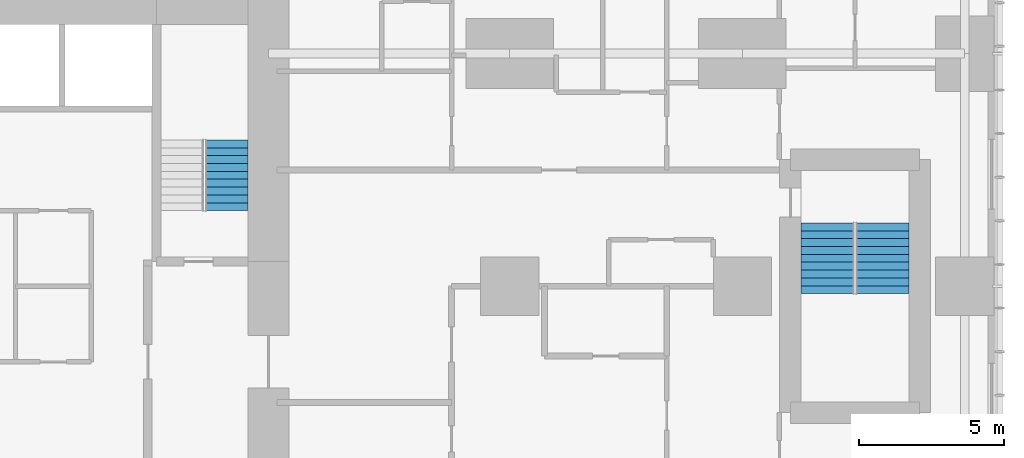
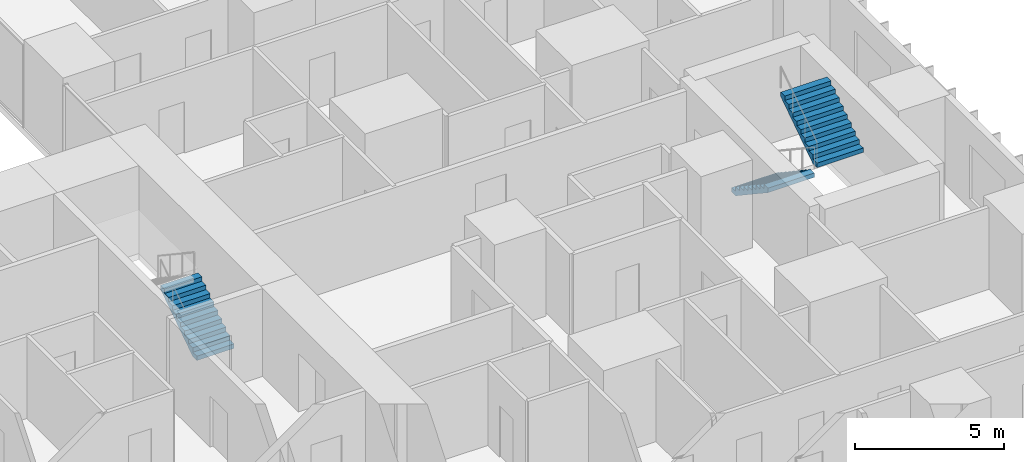
# One storey, part 20 of 21: 3 stair flights, 2 elements without a shape of their own.
"""IFC4 building model written with IfcOpenShell, lengths in metres."""

from ifc_helpers import new_model, si_unit, direction, frame, origin, place, context, subcontext, project, spatial, polyline, outline, extrude, material, type_object, element, aggregate, save


model = new_model("IFC4")

# Units and contexts
model_context = context("Model", 3, precision=1e-05, world=origin(), true_north=direction((0.0, 1.0)))
body_context = subcontext(model_context, "Body", "Model", "MODEL_VIEW")
ifc_project = project(units=[si_unit("LENGTHUNIT", "METRE"), si_unit("AREAUNIT", "SQUARE_METRE"), si_unit("VOLUMEUNIT", "CUBIC_METRE"), si_unit("PLANEANGLEUNIT", "RADIAN"), si_unit("MASSUNIT", "GRAM", prefix="KILO")], contexts=[model_context])

# Site, building, storey
site_placement = place(None, origin())
site = spatial("IfcSite", under=ifc_project, at=site_placement, CompositionType="ELEMENT")
building_placement = place(site_placement, origin())
building = spatial("IfcBuilding", under=site, at=building_placement, Name="Cleftline Residences", CompositionType="ELEMENT")
storey_placement = place(building_placement, frame((0.0, 0.0, 161.0)))
storey = spatial("IfcBuildingStorey", under=building, at=storey_placement, Name="L42", CompositionType="ELEMENT", Elevation=161.0)

# Stair, stair flight
ifc_material_1 = material(Name="Concrete B45, stone treads", Category="masonry")
stair_type_1 = type_object("IfcStairType", Name="STAIR B 1450 WIDE 180 RISER", PredefinedType="HALF_TURN_STAIR", material=ifc_material_1)
stair_1_placement = place(storey_placement, origin())
stair_1 = element("IfcStair", 1, at=stair_1_placement, inside=storey, type_object=stair_type_1, Name="Stair B L42", PredefinedType="HALF_TURN_STAIR")
ifc_material_2 = material(Name="Concrete B45", Category="concrete")
stair_flight_type_1 = type_object("IfcStairFlightType", Name="STAIR B FLIGHT 1450X180", PredefinedType="STRAIGHT", material=ifc_material_2)
stair_flight_1_placement = place(storey_placement, frame((40.27490234375, 26.60009765625, 0.0), z_axis=(0.0, 0.0, 1.0), x_axis=(0.0, 1.0, 0.0)))
stair_flight_1 = element("IfcStairFlight", 2, at=stair_flight_1_placement, type_object=stair_flight_type_1, Name="ST-B flight 1", NumberOfRisers=10, NumberOfTreads=9, PredefinedType="STRAIGHT", RiserHeight=0.18, TreadLength=0.27, context=body_context, shape_type="SweptSolid", body=[
    extrude(outline(polyline([(0.0, 0.0), (0.0, 0.013916015625), (0.0, 0.027587890625), (0.0, 0.04150390625), (0.0, 0.055419921875), (0.0, 0.0693359375), (0.0, 0.0830078125), (0.0, 0.096923828125), (0.0, 0.11083984375), (0.0, 0.12451171875), (0.0, 0.138427734375), (0.0, 0.15234375), (0.0, 0.166259765625), (0.0, 0.179931640625), (0.27001953125, 0.179931640625), (0.27001953125, 0.360107421875), (0.5400390625, 0.360107421875), (0.5400390625, 0.5400390625), (0.81005859375, 0.5400390625), (0.81005859375, 0.719970703125), (1.080078125, 0.719970703125), (1.080078125, 0.89990234375), (1.35009765625, 0.89990234375), (1.35009765625, 1.080078125), (1.6201171875, 1.080078125), (1.6201171875, 1.260009765625), (1.889892578125, 1.260009765625), (1.889892578125, 1.43994140625), (2.159912109375, 1.43994140625), (2.159912109375, 1.6201171875), (2.429931640625, 1.6201171875), (2.429931640625, 1.800048828125), (2.429931640625, 1.772216796875), (2.429931640625, 1.74462890625), (2.429931640625, 1.716796875), (2.429931640625, 1.689208984375), (2.429931640625, 1.661376953125), (2.429931640625, 1.6337890625), (2.429931640625, 1.60595703125), (2.429931640625, 1.578369140625), (2.429931640625, 1.550537109375), (2.429931640625, 1.52294921875), (2.429931640625, 1.495361328125), (2.429931640625, 1.467529296875), (2.429931640625, 1.43994140625), (0.270263671875, 0.0), (0.0, 0.0)])), frame((0.0, 0.72509765625, 0.0), z_axis=(0.0, -1.0, 0.0), x_axis=(1.0, 0.0, 0.0)), (0.0, 0.0, 1.0), 1.449951171875),
])
aggregate(stair_1, [stair_flight_1])

# Stair, stair flights
ifc_material_3 = material(Name="Concrete B45, stone treads", Category="masonry")
stair_type_2 = type_object("IfcStairType", Name="STAIR E 1800 WIDE 180 RISER", PredefinedType="HALF_TURN_STAIR", material=ifc_material_3)
stair_2_placement = place(storey_placement, origin())
stair_2 = element("IfcStair", 3, at=stair_2_placement, inside=storey, type_object=stair_type_2, Name="Stair E L42", PredefinedType="HALF_TURN_STAIR")
ifc_material_4 = material(Name="Concrete B45", Category="concrete")
stair_flight_type_2 = type_object("IfcStairFlightType", Name="STAIR E FLIGHT 1800X180", PredefinedType="STRAIGHT", material=ifc_material_4)
stair_flight_2_placement = place(storey_placement, frame((60.925048828125, 26.175048828125, 0.0), z_axis=(0.0, 0.0, 1.0), x_axis=(0.0, -1.0, 0.0)))
stair_flight_2 = element("IfcStairFlight", 4, at=stair_flight_2_placement, type_object=stair_flight_type_2, Name="ST-E flight 1", NumberOfRisers=10, NumberOfTreads=9, PredefinedType="STRAIGHT", RiserHeight=0.18, TreadLength=0.27, context=body_context, shape_type="SweptSolid", body=[
    extrude(outline(polyline([(0.0, 0.0), (0.0, 0.013916015625), (0.0, 0.027587890625), (0.0, 0.04150390625), (0.0, 0.055419921875), (0.0, 0.0693359375), (0.0, 0.0830078125), (0.0, 0.096923828125), (0.0, 0.11083984375), (0.0, 0.12451171875), (0.0, 0.138427734375), (0.0, 0.15234375), (0.0, 0.166259765625), (0.0, 0.179931640625), (0.27001953125, 0.179931640625), (0.27001953125, 0.360107421875), (0.5400390625, 0.360107421875), (0.5400390625, 0.5400390625), (0.81005859375, 0.5400390625), (0.81005859375, 0.719970703125), (1.080078125, 0.719970703125), (1.080078125, 0.89990234375), (1.35009765625, 0.89990234375), (1.35009765625, 1.080078125), (1.6201171875, 1.080078125), (1.6201171875, 1.260009765625), (1.889892578125, 1.260009765625), (1.889892578125, 1.43994140625), (2.159912109375, 1.43994140625), (2.159912109375, 1.6201171875), (2.429931640625, 1.6201171875), (2.429931640625, 1.800048828125), (2.429931640625, 1.772216796875), (2.429931640625, 1.74462890625), (2.429931640625, 1.716796875), (2.429931640625, 1.689208984375), (2.429931640625, 1.661376953125), (2.429931640625, 1.6337890625), (2.429931640625, 1.60595703125), (2.429931640625, 1.578369140625), (2.429931640625, 1.550537109375), (2.429931640625, 1.52294921875), (2.429931640625, 1.495361328125), (2.429931640625, 1.467529296875), (2.429931640625, 1.43994140625), (0.270263671875, 0.0), (0.0, 0.0)])), frame((0.0, 0.89990234375, 0.0), z_axis=(0.0, -1.0, 0.0), x_axis=(1.0, 0.0, 0.0)), (0.0, 0.0, 1.0), 1.800048828125),
])
stair_flight_3_placement = place(storey_placement, frame((62.824951171875, 23.7451171875, 1.800048828125), z_axis=(0.0, 0.0, 1.0), x_axis=(0.0, 1.0, 0.0)))
stair_flight_3 = element("IfcStairFlight", 5, at=stair_flight_3_placement, type_object=stair_flight_type_2, Name="ST-E flight 2", NumberOfRisers=10, NumberOfTreads=9, PredefinedType="STRAIGHT", RiserHeight=0.18, TreadLength=0.27, context=body_context, shape_type="SweptSolid", body=[
    extrude(outline(polyline([(0.0, 0.0), (0.0, 0.013916015625), (0.0, 0.027587890625), (0.0, 0.04150390625), (0.0, 0.055419921875), (0.0, 0.0693359375), (0.0, 0.0830078125), (0.0, 0.096923828125), (0.0, 0.11083984375), (0.0, 0.12451171875), (0.0, 0.138427734375), (0.0, 0.15234375), (0.0, 0.166259765625), (0.0, 0.179931640625), (0.27001953125, 0.179931640625), (0.27001953125, 0.360107421875), (0.5400390625, 0.360107421875), (0.5400390625, 0.5400390625), (0.81005859375, 0.5400390625), (0.81005859375, 0.719970703125), (1.080078125, 0.719970703125), (1.080078125, 0.89990234375), (1.35009765625, 0.89990234375), (1.35009765625, 1.080078125), (1.6201171875, 1.080078125), (1.6201171875, 1.260009765625), (1.889892578125, 1.260009765625), (1.889892578125, 1.43994140625), (2.159912109375, 1.43994140625), (2.159912109375, 1.6201171875), (2.429931640625, 1.6201171875), (2.429931640625, 1.800048828125), (2.429931640625, 1.772216796875), (2.429931640625, 1.74462890625), (2.429931640625, 1.716796875), (2.429931640625, 1.689208984375), (2.429931640625, 1.661376953125), (2.429931640625, 1.6337890625), (2.429931640625, 1.60595703125), (2.429931640625, 1.578369140625), (2.429931640625, 1.550537109375), (2.429931640625, 1.52294921875), (2.429931640625, 1.495361328125), (2.429931640625, 1.467529296875), (2.429931640625, 1.43994140625), (0.270263671875, 0.0), (0.0, 0.0)])), frame((0.0, 0.89990234375, 0.0), z_axis=(0.0, -1.0, 0.0), x_axis=(1.0, 0.0, 0.0)), (0.0, 0.0, 1.0), 1.800048828125),
])
aggregate(stair_2, [stair_flight_2, stair_flight_3])

save(model, "model.ifc")
